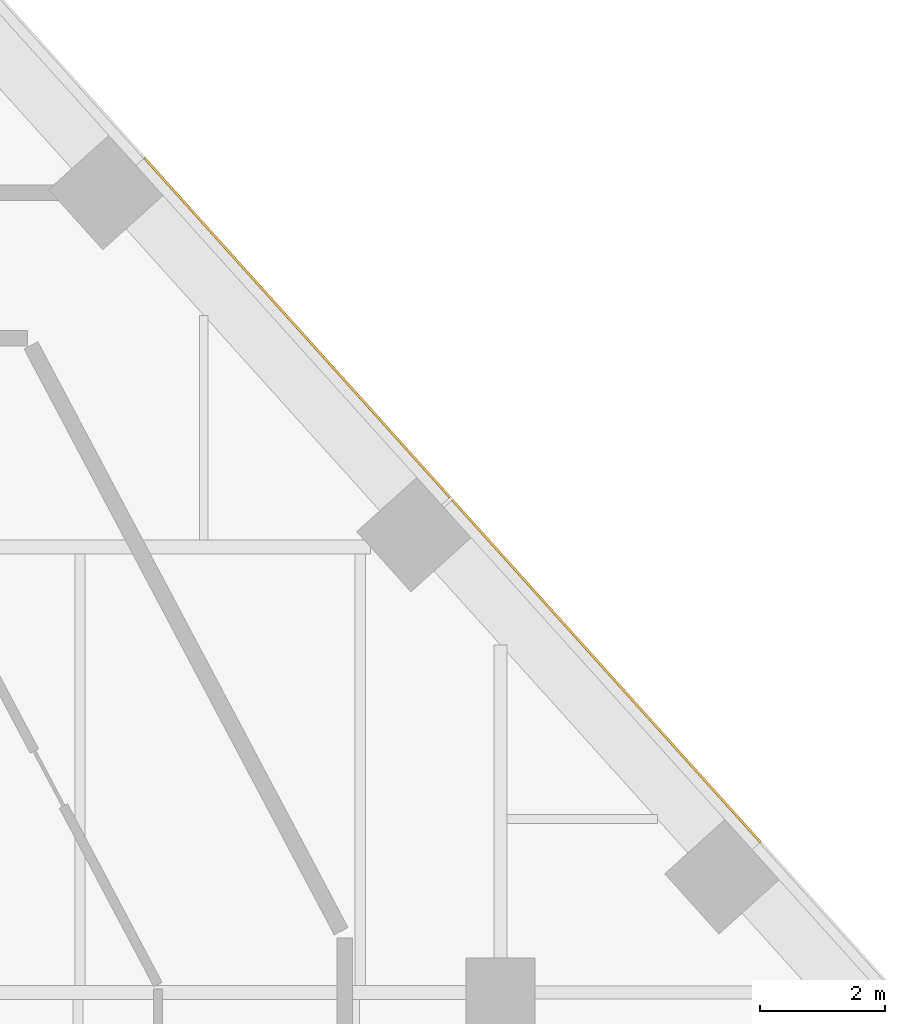
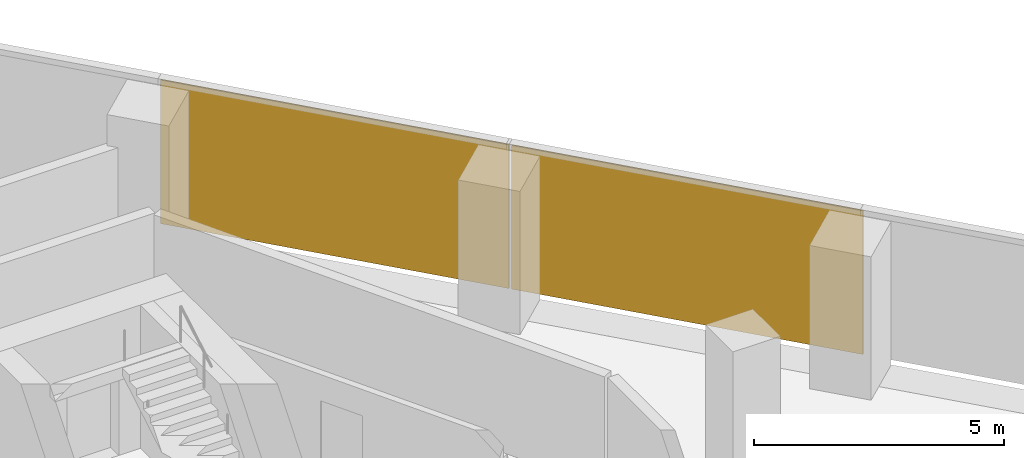
# One storey, part 16 of 16: 2 coverings, 1 element without a shape of its own.
"""IFC4 building model written with IfcOpenShell, lengths in metres."""

import ifcopenshell
import ifcopenshell.guid

model = None  # the IFC model being written
_history = None  # IfcOwnerHistory: only IFC2X3 demands one
_inside = {}  # id of a spatial element -> (the spatial element, [elements in it])
_under = {}  # id of a project, library or spatial element -> (it, [spatial elements below it])
_declared = {}  # id of a project -> (the project, [libraries it declares])
_typed = {}  # id of a type object -> (the type object, [elements of that type])
_made_of = {}  # id of a material, layer set ... -> (it, [elements and type objects made of it])


def new_model(schema):
    """Start an empty IFC model of exactly this schema.

    Asked for "IFC4X3", IfcOpenShell would pick the latest addendum, in which some entities
    have other attributes; the version numbers below select the first issue.
    IFC2X3 requires an IfcOwnerHistory on every rooted entity: one is made here for all.
    """
    global model, _history
    if schema == "IFC4X3":
        model = ifcopenshell.file(schema_version=(4, 3, 0, 0))
    else:
        model = ifcopenshell.file(schema=schema)
    _inside.clear()
    _under.clear()
    _declared.clear()
    _typed.clear()
    _made_of.clear()
    _history = None
    if model.schema == "IFC2X3":
        org = make("IfcOrganization", Name="unknown")
        user = make(
            "IfcPersonAndOrganization",
            ThePerson=make("IfcPerson", FamilyName="unknown"),
            TheOrganization=org,
        )
        app = make(
            "IfcApplication",
            ApplicationDeveloper=org,
            Version="unknown",
            ApplicationFullName="unknown",
            ApplicationIdentifier="unknown",
        )
        _history = make(
            "IfcOwnerHistory",
            OwningUser=user,
            OwningApplication=app,
            ChangeAction="ADDED",
            CreationDate=0,
        )
    return model


def make(cls, **values):
    """One entity of the class cls with the attributes given. An attribute that is None is left unset."""
    return model.create_entity(
        cls, **{name: value for name, value in values.items() if value is not None}
    )


def rooted(cls, **values):
    """An entity with a GlobalId (a new one), such as an element, a storey or a relation."""
    return make(cls, GlobalId=ifcopenshell.guid.new(), OwnerHistory=_history, **values)


def si_unit(unit_type, name, prefix=None):
    """IfcSIUnit, for example si_unit("LENGTHUNIT", "METRE", prefix="MILLI")."""
    return make("IfcSIUnit", UnitType=unit_type, Prefix=prefix, Name=name)


def assignment(units):
    """IfcUnitAssignment: the units of a project."""
    return None if units is None else make("IfcUnitAssignment", Units=units)


def point(xyz):
    """IfcCartesianPoint."""
    return None if xyz is None else make("IfcCartesianPoint", Coordinates=xyz)


def direction(xyz):
    """IfcDirection."""
    return None if xyz is None else make("IfcDirection", DirectionRatios=xyz)


def frame(location, z_axis=None, x_axis=None):
    """IfcAxis2Placement3D, a coordinate frame: its origin and axes. An axis left out is left unset."""
    return make(
        "IfcAxis2Placement3D",
        Location=point(location),
        Axis=direction(z_axis),
        RefDirection=direction(x_axis),
    )


def frame_2d(location, x_axis=None):
    """IfcAxis2Placement2D, a coordinate frame in the plane: its origin and x axis."""
    return make(
        "IfcAxis2Placement2D", Location=point(location), RefDirection=direction(x_axis)
    )


def origin():
    """The frame at (0, 0, 0) with its axes left unset."""
    return frame((0.0, 0.0, 0.0))


def origin_2d():
    """The frame at (0, 0) in the plane with its x axis left unset."""
    return frame_2d((0.0, 0.0))


def place(relative_to, where):
    """IfcLocalPlacement: puts the frame where relative to a parent placement (None: the world)."""
    return make(
        "IfcLocalPlacement", PlacementRelTo=relative_to, RelativePlacement=where
    )


def context(
    kind, dimensions, precision=None, world=None, true_north=None, identifier=None
):
    """IfcGeometricRepresentationContext, for example the 3D "Model" context."""
    return make(
        "IfcGeometricRepresentationContext",
        ContextIdentifier=identifier,
        ContextType=kind,
        CoordinateSpaceDimension=dimensions,
        Precision=precision,
        WorldCoordinateSystem=world,
        TrueNorth=true_north,
    )


def subcontext(parent, identifier, kind, view, scale=None):
    """IfcGeometricRepresentationSubContext, for example "Body" below "Model"."""
    return make(
        "IfcGeometricRepresentationSubContext",
        ContextIdentifier=identifier,
        ContextType=kind,
        ParentContext=parent,
        TargetScale=scale,
        TargetView=view,
    )


def project(units=None, contexts=None):
    """IfcProject with its units and contexts."""
    return rooted(
        "IfcProject",
        Name="project",
        RepresentationContexts=contexts,
        UnitsInContext=assignment(units),
    )


def spatial(cls, under=None, at=None, **own):
    """A site, building, storey or space (cls), placed at a placement, below another one or the project."""
    s = rooted(cls, ObjectPlacement=at, **own)
    if under is not None:
        _under.setdefault(under.id(), (under, []))[1].append(s)
    return s


def profile(cls, at=None, kind="AREA", **sizes):
    """A parametric profile (cls). Its sizes go by their IFC names, for example OverallWidth=200.0."""
    return make(cls, ProfileType=kind, Position=at, **sizes)


def rectangle(**sizes):
    """IfcRectangleProfileDef."""
    return profile("IfcRectangleProfileDef", **sizes)


def extrude(swept, where, along, depth):
    """IfcExtrudedAreaSolid: the profile swept, set in the frame where, extruded along a direction by depth."""
    return make(
        "IfcExtrudedAreaSolid",
        SweptArea=swept,
        Position=where,
        ExtrudedDirection=direction(along),
        Depth=depth,
    )


def shape(context_of_items, identifier, shape_type, items):
    """IfcShapeRepresentation: the items that make up one representation, for example the "Body"."""
    return make(
        "IfcShapeRepresentation",
        ContextOfItems=context_of_items,
        RepresentationIdentifier=identifier,
        RepresentationType=shape_type,
        Items=items,
    )


def material(Name=None, Category=None):
    """IfcMaterial."""
    return make("IfcMaterial", Name=Name, Category=Category)


def layer(
    of_material, thickness, ventilated=None, Name=None, Category=None, Priority=None
):
    """IfcMaterialLayer: one layer of a wall or slab, of a material (None: an air gap)."""
    return make(
        "IfcMaterialLayer",
        Material=of_material,
        LayerThickness=thickness,
        IsVentilated=ventilated,
        Name=Name,
        Category=Category,
        Priority=Priority,
    )


def layer_set(layers, Name=None):
    """IfcMaterialLayerSet."""
    return make("IfcMaterialLayerSet", MaterialLayers=layers, LayerSetName=Name)


def made_of(thing, what):
    """Note that an element or type object is made of a material, layer set ...; save() writes the relation."""
    if what is not None:
        _made_of.setdefault(what.id(), (what, []))[1].append(thing)
    return thing


def type_object(cls, material=None, **own):
    """A type object (cls), such as IfcWallType, which elements share."""
    return made_of(rooted(cls, **own), material)


def element(
    cls,
    number,
    at=None,
    inside=None,
    cuts=None,
    type_object=None,
    material=None,
    context=None,
    identifier="Body",
    shape_type=None,
    held_by="IfcProductDefinitionShape",
    body=None,
    shapes=None,
    **own,
):
    """One element of the class cls, such as IfcWall. Its Tag is "e" and its number.

    at: its placement. inside: the storey or other place that contains it. cuts: it is an
    opening in that element (IfcRelVoidsElement). A single representation is given by context,
    identifier, shape_type and body (its items); several are given by shapes. held_by: the class
    of the entity that holds the representations. save() writes the other relations.
    """
    e = rooted(cls, Tag="e%d" % number, ObjectPlacement=at, **own)
    if body is not None:
        shapes = [shape(context, identifier, shape_type, body)]
    if shapes is not None:
        e.Representation = make(held_by, Representations=shapes)
    if inside is not None:
        _inside.setdefault(inside.id(), (inside, []))[1].append(e)
    if cuts is not None:
        rooted(
            "IfcRelVoidsElement", RelatingBuildingElement=cuts, RelatedOpeningElement=e
        )
    if type_object is not None:
        _typed.setdefault(type_object.id(), (type_object, []))[1].append(e)
    return made_of(e, material)


def aggregate(whole, parts):
    """IfcRelAggregates: a whole, such as a stair, and the parts it consists of."""
    return rooted("IfcRelAggregates", RelatingObject=whole, RelatedObjects=parts)


def save(model, path):
    """Write the relations noted so far, then the file.

    IfcRelAggregates (storeys below a building ...), IfcRelContainedInSpatialStructure (elements
    in a storey), IfcRelDefinesByType, IfcRelAssociatesMaterial and IfcRelDeclares: one each for
    every whole, place, type object, material and project.
    """
    for whole, parts in _under.values():
        aggregate(whole, parts)
    for where, things in _inside.values():
        rooted(
            "IfcRelContainedInSpatialStructure",
            RelatedElements=things,
            RelatingStructure=where,
        )
    for kind, things in _typed.values():
        rooted("IfcRelDefinesByType", RelatedObjects=things, RelatingType=kind)
    for what, things in _made_of.values():
        rooted("IfcRelAssociatesMaterial", RelatedObjects=things, RelatingMaterial=what)
    for by, libraries in _declared.values():
        rooted("IfcRelDeclares", RelatingContext=by, RelatedDefinitions=libraries)
    model.write(path)


model = new_model("IFC4")

# Units and contexts
model_context = context("Model", 3, precision=1e-05, world=origin(), true_north=direction((0.0, 1.0)))
body_context = subcontext(model_context, "Body", "Model", "MODEL_VIEW")
ifc_project = project(units=[si_unit("LENGTHUNIT", "METRE"), si_unit("AREAUNIT", "SQUARE_METRE"), si_unit("VOLUMEUNIT", "CUBIC_METRE"), si_unit("PLANEANGLEUNIT", "RADIAN"), si_unit("MASSUNIT", "GRAM", prefix="KILO")], contexts=[model_context])

# Site, building, storey
site_placement = place(None, origin())
site = spatial("IfcSite", under=ifc_project, at=site_placement, CompositionType="ELEMENT")
building_placement = place(site_placement, origin())
building = spatial("IfcBuilding", under=site, at=building_placement, Name="Isthmus Gate Tower", CompositionType="ELEMENT")
storey_placement = place(building_placement, frame((0.0, 0.0, 178.10009765625)))
storey = spatial("IfcBuildingStorey", under=building, at=storey_placement, Name="L44", CompositionType="ELEMENT", Elevation=178.10009765625)

# Curtain wall, coverings
ifc_material_1 = material(Name="Aluminium, pale champagne anodised", Category="aluminium")
ifc_layer_1 = layer(ifc_material_1, 0.199951171875)
ifc_layer_set_1 = layer_set([ifc_layer_1], Name="CW-1 UNITISED CURTAIN WALL 200 DEEP")
curtain_wall_type = type_object("IfcCurtainWallType", Name="CW-1 UNITISED CURTAIN WALL 200 DEEP", PredefinedType="NOTDEFINED", material=ifc_layer_set_1)
curtain_wall_placement = place(storey_placement, origin())
curtain_wall = element("IfcCurtainWall", 1, at=curtain_wall_placement, inside=storey, type_object=curtain_wall_type, Name="CW-1 NE L44", PredefinedType="NOTDEFINED")
ifc_material_2 = material(Name="Aluminium composite panel, pale champagne anodised", Category="aluminium")
ifc_layer_2 = layer(ifc_material_2, 0.035888671875)
ifc_layer_set_2 = layer_set([ifc_layer_2], Name="CW-1 PALE METAL PANEL 36")
covering_type = type_object("IfcCoveringType", Name="CW-1 PALE METAL PANEL 36", PredefinedType="CLADDING", material=ifc_layer_set_2)
covering_1_placement = place(storey_placement, frame((25.70068359375, 12.659423828125, 0.0), z_axis=(0.0, 0.0, 1.0), x_axis=(-0.669130606359, 0.743144825477, 0.0)))
covering_1 = element("IfcCovering", 2, at=covering_1_placement, type_object=covering_type, Name="CW-1 pale metal panel", PredefinedType="CLADDING", context=body_context, shape_type="SweptSolid", body=[
    extrude(rectangle(XDim=7.390869140625, YDim=0.035888671875, at=origin_2d()), origin(), (0.0, 0.0, 1.0), 3.510009765625),
])
covering_2_placement = place(storey_placement, frame((20.735107421875, 18.17431640625, 0.0), z_axis=(0.0, 0.0, 1.0), x_axis=(-0.669130606359, 0.743144825477, 0.0)))
covering_2 = element("IfcCovering", 3, at=covering_2_placement, type_object=covering_type, Name="CW-1 pale metal panel", PredefinedType="CLADDING", context=body_context, shape_type="SweptSolid", body=[
    extrude(rectangle(XDim=7.330810546875, YDim=0.035888671875, at=origin_2d()), origin(), (0.0, 0.0, 1.0), 3.510009765625),
])
aggregate(curtain_wall, [covering_1, covering_2])

save(model, "model.ifc")
